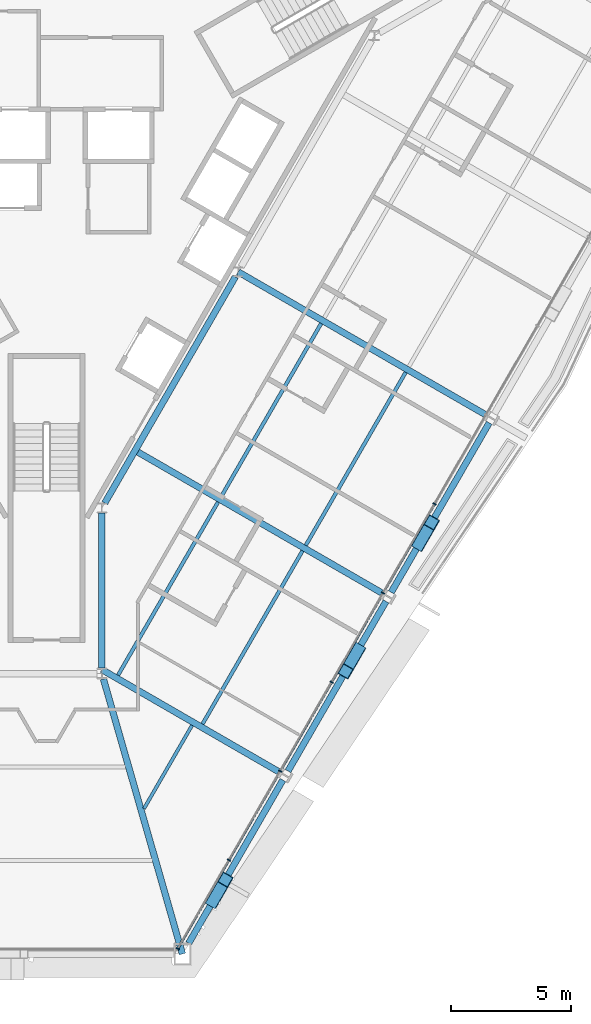
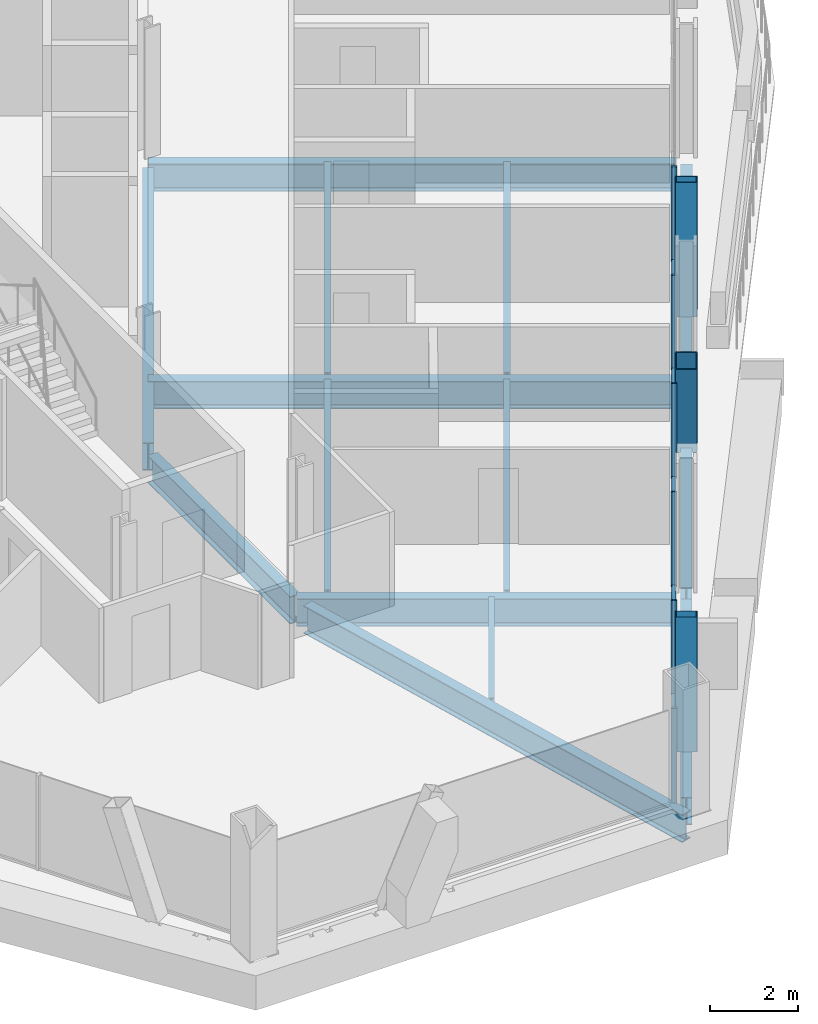
# One storey, part 5 of 20: 14 beams, 14 members, 1 element without a shape of its own.
"""IFC4 building model written with IfcOpenShell, lengths in metres."""

import ifcopenshell
import ifcopenshell.guid

model = None  # the IFC model being written
_history = None  # IfcOwnerHistory: only IFC2X3 demands one
_inside = {}  # id of a spatial element -> (the spatial element, [elements in it])
_under = {}  # id of a project, library or spatial element -> (it, [spatial elements below it])
_declared = {}  # id of a project -> (the project, [libraries it declares])
_typed = {}  # id of a type object -> (the type object, [elements of that type])
_made_of = {}  # id of a material, layer set ... -> (it, [elements and type objects made of it])


def new_model(schema):
    """Start an empty IFC model of exactly this schema.

    Asked for "IFC4X3", IfcOpenShell would pick the latest addendum, in which some entities
    have other attributes; the version numbers below select the first issue.
    IFC2X3 requires an IfcOwnerHistory on every rooted entity: one is made here for all.
    """
    global model, _history
    if schema == "IFC4X3":
        model = ifcopenshell.file(schema_version=(4, 3, 0, 0))
    else:
        model = ifcopenshell.file(schema=schema)
    _inside.clear()
    _under.clear()
    _declared.clear()
    _typed.clear()
    _made_of.clear()
    _history = None
    if model.schema == "IFC2X3":
        org = make("IfcOrganization", Name="unknown")
        user = make(
            "IfcPersonAndOrganization",
            ThePerson=make("IfcPerson", FamilyName="unknown"),
            TheOrganization=org,
        )
        app = make(
            "IfcApplication",
            ApplicationDeveloper=org,
            Version="unknown",
            ApplicationFullName="unknown",
            ApplicationIdentifier="unknown",
        )
        _history = make(
            "IfcOwnerHistory",
            OwningUser=user,
            OwningApplication=app,
            ChangeAction="ADDED",
            CreationDate=0,
        )
    return model


def make(cls, **values):
    """One entity of the class cls with the attributes given. An attribute that is None is left unset."""
    return model.create_entity(
        cls, **{name: value for name, value in values.items() if value is not None}
    )


def rooted(cls, **values):
    """An entity with a GlobalId (a new one), such as an element, a storey or a relation."""
    return make(cls, GlobalId=ifcopenshell.guid.new(), OwnerHistory=_history, **values)


def si_unit(unit_type, name, prefix=None):
    """IfcSIUnit, for example si_unit("LENGTHUNIT", "METRE", prefix="MILLI")."""
    return make("IfcSIUnit", UnitType=unit_type, Prefix=prefix, Name=name)


def assignment(units):
    """IfcUnitAssignment: the units of a project."""
    return None if units is None else make("IfcUnitAssignment", Units=units)


def point(xyz):
    """IfcCartesianPoint."""
    return None if xyz is None else make("IfcCartesianPoint", Coordinates=xyz)


def direction(xyz):
    """IfcDirection."""
    return None if xyz is None else make("IfcDirection", DirectionRatios=xyz)


def frame(location, z_axis=None, x_axis=None):
    """IfcAxis2Placement3D, a coordinate frame: its origin and axes. An axis left out is left unset."""
    return make(
        "IfcAxis2Placement3D",
        Location=point(location),
        Axis=direction(z_axis),
        RefDirection=direction(x_axis),
    )


def frame_2d(location, x_axis=None):
    """IfcAxis2Placement2D, a coordinate frame in the plane: its origin and x axis."""
    return make(
        "IfcAxis2Placement2D", Location=point(location), RefDirection=direction(x_axis)
    )


def origin():
    """The frame at (0, 0, 0) with its axes left unset."""
    return frame((0.0, 0.0, 0.0))


def origin_2d():
    """The frame at (0, 0) in the plane with its x axis left unset."""
    return frame_2d((0.0, 0.0))


def place(relative_to, where):
    """IfcLocalPlacement: puts the frame where relative to a parent placement (None: the world)."""
    return make(
        "IfcLocalPlacement", PlacementRelTo=relative_to, RelativePlacement=where
    )


def context(
    kind, dimensions, precision=None, world=None, true_north=None, identifier=None
):
    """IfcGeometricRepresentationContext, for example the 3D "Model" context."""
    return make(
        "IfcGeometricRepresentationContext",
        ContextIdentifier=identifier,
        ContextType=kind,
        CoordinateSpaceDimension=dimensions,
        Precision=precision,
        WorldCoordinateSystem=world,
        TrueNorth=true_north,
    )


def subcontext(parent, identifier, kind, view, scale=None):
    """IfcGeometricRepresentationSubContext, for example "Body" below "Model"."""
    return make(
        "IfcGeometricRepresentationSubContext",
        ContextIdentifier=identifier,
        ContextType=kind,
        ParentContext=parent,
        TargetScale=scale,
        TargetView=view,
    )


def project(units=None, contexts=None):
    """IfcProject with its units and contexts."""
    return rooted(
        "IfcProject",
        Name="project",
        RepresentationContexts=contexts,
        UnitsInContext=assignment(units),
    )


def spatial(cls, under=None, at=None, **own):
    """A site, building, storey or space (cls), placed at a placement, below another one or the project."""
    s = rooted(cls, ObjectPlacement=at, **own)
    if under is not None:
        _under.setdefault(under.id(), (under, []))[1].append(s)
    return s


def profile(cls, at=None, kind="AREA", **sizes):
    """A parametric profile (cls). Its sizes go by their IFC names, for example OverallWidth=200.0."""
    return make(cls, ProfileType=kind, Position=at, **sizes)


def rectangle(**sizes):
    """IfcRectangleProfileDef."""
    return profile("IfcRectangleProfileDef", **sizes)


def hollow_rectangle(**sizes):
    """IfcRectangleHollowProfileDef."""
    return profile("IfcRectangleHollowProfileDef", **sizes)


def i_section(**sizes):
    """IfcIShapeProfileDef."""
    return profile("IfcIShapeProfileDef", **sizes)


def extrude(swept, where, along, depth):
    """IfcExtrudedAreaSolid: the profile swept, set in the frame where, extruded along a direction by depth."""
    return make(
        "IfcExtrudedAreaSolid",
        SweptArea=swept,
        Position=where,
        ExtrudedDirection=direction(along),
        Depth=depth,
    )


def shape(context_of_items, identifier, shape_type, items):
    """IfcShapeRepresentation: the items that make up one representation, for example the "Body"."""
    return make(
        "IfcShapeRepresentation",
        ContextOfItems=context_of_items,
        RepresentationIdentifier=identifier,
        RepresentationType=shape_type,
        Items=items,
    )


def material(Name=None, Category=None):
    """IfcMaterial."""
    return make("IfcMaterial", Name=Name, Category=Category)


def material_profile(
    of_material, cross_section, Name=None, Category=None, Priority=None
):
    """IfcMaterialProfile: a cross section and its material."""
    return make(
        "IfcMaterialProfile",
        Name=Name,
        Material=of_material,
        Profile=cross_section,
        Priority=Priority,
        Category=Category,
    )


def profile_set(profiles, Name=None, composite=None):
    """IfcMaterialProfileSet."""
    return make(
        "IfcMaterialProfileSet",
        Name=Name,
        MaterialProfiles=profiles,
        CompositeProfile=composite,
    )


def made_of(thing, what):
    """Note that an element or type object is made of a material, layer set ...; save() writes the relation."""
    if what is not None:
        _made_of.setdefault(what.id(), (what, []))[1].append(thing)
    return thing


def type_object(cls, material=None, **own):
    """A type object (cls), such as IfcWallType, which elements share."""
    return made_of(rooted(cls, **own), material)


def element(
    cls,
    number,
    at=None,
    inside=None,
    cuts=None,
    type_object=None,
    material=None,
    context=None,
    identifier="Body",
    shape_type=None,
    held_by="IfcProductDefinitionShape",
    body=None,
    shapes=None,
    **own,
):
    """One element of the class cls, such as IfcWall. Its Tag is "e" and its number.

    at: its placement. inside: the storey or other place that contains it. cuts: it is an
    opening in that element (IfcRelVoidsElement). A single representation is given by context,
    identifier, shape_type and body (its items); several are given by shapes. held_by: the class
    of the entity that holds the representations. save() writes the other relations.
    """
    e = rooted(cls, Tag="e%d" % number, ObjectPlacement=at, **own)
    if body is not None:
        shapes = [shape(context, identifier, shape_type, body)]
    if shapes is not None:
        e.Representation = make(held_by, Representations=shapes)
    if inside is not None:
        _inside.setdefault(inside.id(), (inside, []))[1].append(e)
    if cuts is not None:
        rooted(
            "IfcRelVoidsElement", RelatingBuildingElement=cuts, RelatedOpeningElement=e
        )
    if type_object is not None:
        _typed.setdefault(type_object.id(), (type_object, []))[1].append(e)
    return made_of(e, material)


def aggregate(whole, parts):
    """IfcRelAggregates: a whole, such as a stair, and the parts it consists of."""
    return rooted("IfcRelAggregates", RelatingObject=whole, RelatedObjects=parts)


def save(model, path):
    """Write the relations noted so far, then the file.

    IfcRelAggregates (storeys below a building ...), IfcRelContainedInSpatialStructure (elements
    in a storey), IfcRelDefinesByType, IfcRelAssociatesMaterial and IfcRelDeclares: one each for
    every whole, place, type object, material and project.
    """
    for whole, parts in _under.values():
        aggregate(whole, parts)
    for where, things in _inside.values():
        rooted(
            "IfcRelContainedInSpatialStructure",
            RelatedElements=things,
            RelatingStructure=where,
        )
    for kind, things in _typed.values():
        rooted("IfcRelDefinesByType", RelatedObjects=things, RelatingType=kind)
    for what, things in _made_of.values():
        rooted("IfcRelAssociatesMaterial", RelatedObjects=things, RelatingMaterial=what)
    for by, libraries in _declared.values():
        rooted("IfcRelDeclares", RelatingContext=by, RelatedDefinitions=libraries)
    model.write(path)


model = new_model("IFC4")

# Units and contexts
model_context = context("Model", 3, precision=1e-05, world=origin(), true_north=direction((0.0, 1.0)))
body_context = subcontext(model_context, "Body", "Model", "MODEL_VIEW")
ifc_project = project(units=[si_unit("LENGTHUNIT", "METRE"), si_unit("AREAUNIT", "SQUARE_METRE"), si_unit("VOLUMEUNIT", "CUBIC_METRE"), si_unit("PLANEANGLEUNIT", "RADIAN"), si_unit("MASSUNIT", "GRAM", prefix="KILO")], contexts=[model_context])

# Site, building, storey
site_placement = place(None, origin())
site = spatial("IfcSite", under=ifc_project, at=site_placement, CompositionType="ELEMENT")
building_placement = place(site_placement, origin())
building = spatial("IfcBuilding", under=site, at=building_placement, Name="Verrane Prism Tower", CompositionType="ELEMENT")
storey_placement = place(building_placement, frame((0.0, 0.0, 69.199951171875)))
storey = spatial("IfcBuildingStorey", under=building, at=storey_placement, Name="L15", CompositionType="ELEMENT", Elevation=69.199951171875)

# Beams
ifc_material_1 = material(Name="Steel A992", Category="steel")
ifc_material_profile_1 = material_profile(ifc_material_1, i_section(OverallWidth=0.2666015625, OverallDepth=0.7568359375, WebThickness=0.013916015625, FlangeThickness=0.019287109375, FilletRadius=0.0166015625, at=origin_2d()), Name="W30x108")
ifc_profile_set_1 = profile_set([ifc_material_profile_1], Name="Steel A992")
beam_type_1 = type_object("IfcBeamType", Name="Core ring girder W30x108", PredefinedType="BEAM", material=ifc_profile_set_1)
beam_1_placement = place(storey_placement, frame((2.300048828125, -21.07275390625, -0.62841796875), z_axis=(0.0, 1.0, 0.0), x_axis=(-1.0, 0.0, 0.0)))
element("IfcBeam", 1, at=beam_1_placement, inside=storey, type_object=beam_type_1, Name="Core ring girder L15", PredefinedType="BEAM", context=body_context, shape_type="SweptSolid", body=[
    extrude(i_section(OverallWidth=0.2666015625, OverallDepth=0.7568359375, WebThickness=0.013916015625, FlangeThickness=0.019287109375, FilletRadius=0.0166015625, at=origin_2d()), origin(), (0.0, 0.0, 1.0), 6.4443359375),
])
beam_2_placement = place(storey_placement, frame((2.42041015625, -14.211669921875, -0.62841796875), z_axis=(0.500013103396, 0.866017838403, 0.0), x_axis=(-0.866017838403, 0.500013103396, 0.0)))
element("IfcBeam", 2, at=beam_2_placement, inside=storey, type_object=beam_type_1, Name="Core ring girder L15", PredefinedType="BEAM", context=body_context, shape_type="SweptSolid", body=[
    extrude(i_section(OverallWidth=0.2666015625, OverallDepth=0.7568359375, WebThickness=0.013916015625, FlangeThickness=0.019287109375, FilletRadius=0.0166015625, at=origin_2d()), origin(), (0.0, 0.0, 1.0), 10.858154296875),
])
ifc_material_2 = material(Name="Steel A992", Category="steel")
ifc_material_profile_2 = material_profile(ifc_material_2, i_section(OverallWidth=0.2666015625, OverallDepth=0.76708984375, WebThickness=0.014892578125, FlangeThickness=0.023681640625, FilletRadius=0.0166015625, at=origin_2d()), Name="W30x124")
ifc_profile_set_2 = profile_set([ifc_material_profile_2], Name="Steel A992")
beam_type_2 = type_object("IfcBeamType", Name="Corner girder W30x124", PredefinedType="BEAM", material=ifc_profile_set_2)
beam_3_placement = place(storey_placement, frame((5.64892578125, -32.956298828125, -0.603515625), z_axis=(-0.276141726937, 0.961116926625, 0.0), x_axis=(-0.961116926625, -0.276141726937, 0.0)))
element("IfcBeam", 3, at=beam_3_placement, inside=storey, type_object=beam_type_2, Name="Corner girder L15", PredefinedType="BEAM", context=body_context, shape_type="SweptSolid", body=[
    extrude(i_section(OverallWidth=0.2666015625, OverallDepth=0.76708984375, WebThickness=0.014892578125, FlangeThickness=0.023681640625, FilletRadius=0.0166015625, at=origin_2d()), origin(), (0.0, 0.0, 1.0), 11.891357421875),
])

# Members
ifc_material_3 = material(Name="Steel A1085 Grade A", Category="steel")
ifc_material_profile_3 = material_profile(ifc_material_3, hollow_rectangle(XDim=0.508056640625, YDim=0.508056640625, WallThickness=0.025390625, InnerFilletRadius=0.0126953125, OuterFilletRadius=0.0380859375, at=origin_2d()), Name="HSS20x20x1")
ifc_profile_set_3 = profile_set([ifc_material_profile_3], Name="Steel A1085 Grade A")
member_type_1 = type_object("IfcMemberType", Name="Facade brace HSS20x20x1", PredefinedType="BRACE", material=ifc_profile_set_3)
member_1_placement = place(storey_placement, frame((6.923095703125, -30.7529296875, -0.242431640625), z_axis=(0.160833507391, 0.278788325281, 0.946789127835), x_axis=(-0.866193535518, 0.499708674156, 0.0)))
element("IfcMember", 4, at=member_1_placement, inside=storey, type_object=member_type_1, Name="Facade brace SE0 L15", PredefinedType="BRACE", context=body_context, shape_type="SweptSolid", body=[
    extrude(hollow_rectangle(XDim=0.508056640625, YDim=0.508056640625, WallThickness=0.025390625, InnerFilletRadius=0.0126953125, OuterFilletRadius=0.0380859375, at=origin_2d()), origin(), (0.0, 0.0, 1.0), 3.177001953125),
])
member_2_placement = place(storey_placement, frame((12.94384765625, -20.320068359375, -0.242431640625), z_axis=(-0.161115641095, -0.279128814544, 0.946640826864), x_axis=(0.866078408764, -0.499908181442, 0.0)))
element("IfcMember", 5, at=member_2_placement, inside=storey, type_object=member_type_1, Name="Facade brace SE1 L15", PredefinedType="BRACE", context=body_context, shape_type="SweptSolid", body=[
    extrude(hollow_rectangle(XDim=0.508056640625, YDim=0.508056640625, WallThickness=0.025390625, InnerFilletRadius=0.0126953125, OuterFilletRadius=0.0380859375, at=origin_2d()), origin(), (0.0, 0.0, 1.0), 3.177490234375),
])
member_3_placement = place(storey_placement, frame((15.49609375, -15.90283203125, -0.242431640625), z_axis=(0.161207751603, 0.278771078559, 0.946730556485), x_axis=(-0.865676668203, 0.500603541866, 0.0)))
element("IfcMember", 6, at=member_3_placement, inside=storey, type_object=member_type_1, Name="Facade brace SE2 L15", PredefinedType="BRACE", context=body_context, shape_type="SweptSolid", body=[
    extrude(hollow_rectangle(XDim=0.508056640625, YDim=0.508056640625, WallThickness=0.025390625, InnerFilletRadius=0.0126953125, OuterFilletRadius=0.0380859375, at=origin_2d()), origin(), (0.0, 0.0, 1.0), 3.17724609375),
])

# Beams
ifc_material_4 = material(Name="Steel A992", Category="steel")
ifc_material_profile_4 = material_profile(ifc_material_4, i_section(OverallWidth=0.140380859375, OverallDepth=0.40380859375, WebThickness=0.007080078125, FlangeThickness=0.01123046875, FilletRadius=0.01025390625, at=origin_2d()), Name="W16x31")
ifc_profile_set_4 = profile_set([ifc_material_profile_4], Name="Steel A992")
beam_type_3 = type_object("IfcBeamType", Name="Floor beam W16x31", PredefinedType="BEAM", material=ifc_profile_set_4)
beam_4_placement = place(storey_placement, frame((4.051513671875, -26.91259765625, -0.36181640625), z_axis=(0.499995658264, 0.866027910472, 0.0), x_axis=(-0.866027910472, 0.499995658264, 0.0)))
element("IfcBeam", 7, at=beam_4_placement, inside=storey, type_object=beam_type_3, Name="Floor beam L15", PredefinedType="BEAM", context=body_context, shape_type="SweptSolid", body=[
    extrude(i_section(OverallWidth=0.140380859375, OverallDepth=0.40380859375, WebThickness=0.007080078125, FlangeThickness=0.01123046875, FilletRadius=0.01025390625, at=origin_2d()), origin(), (0.0, 0.0, 1.0), 3.99658203125),
])
ifc_material_5 = material(Name="Steel A992", Category="steel")
ifc_material_profile_5 = material_profile(ifc_material_5, i_section(OverallWidth=0.15234375, OverallDepth=0.449462890625, WebThickness=0.007568359375, FlangeThickness=0.0107421875, FilletRadius=0.01025390625, at=origin_2d()), Name="W18x35")
ifc_profile_set_5 = profile_set([ifc_material_profile_5], Name="Steel A992")
beam_type_4 = type_object("IfcBeamType", Name="Floor beam W18x35", PredefinedType="BEAM", material=ifc_profile_set_5)
beam_5_placement = place(storey_placement, frame((6.4853515625, -23.394775390625, -0.384765625), z_axis=(0.50000392623, 0.866023136963, 0.0), x_axis=(-0.866023136963, 0.50000392623, 0.0)))
element("IfcBeam", 8, at=beam_5_placement, inside=storey, type_object=beam_type_4, Name="Floor beam L15", PredefinedType="BEAM", context=body_context, shape_type="SweptSolid", body=[
    extrude(i_section(OverallWidth=0.15234375, OverallDepth=0.449462890625, WebThickness=0.007568359375, FlangeThickness=0.0107421875, FilletRadius=0.01025390625, at=origin_2d()), origin(), (0.0, 0.0, 1.0), 8.30908203125),
])
beam_6_placement = place(storey_placement, frame((2.9736328125, -21.365234375, -0.384765625), z_axis=(0.499989616998, 0.866031398331, 0.0), x_axis=(-0.866031398331, 0.499989616998, 0.0)))
element("IfcBeam", 9, at=beam_6_placement, inside=storey, type_object=beam_type_4, Name="Floor beam L15", PredefinedType="BEAM", context=body_context, shape_type="SweptSolid", body=[
    extrude(i_section(OverallWidth=0.15234375, OverallDepth=0.449462890625, WebThickness=0.007568359375, FlangeThickness=0.0107421875, FilletRadius=0.01025390625, at=origin_2d()), origin(), (0.0, 0.0, 1.0), 8.305908203125),
])
beam_7_placement = place(storey_placement, frame((10.7763671875, -15.969482421875, -0.384765625), z_axis=(0.499995524547, 0.866027987673, 0.0), x_axis=(-0.866027987673, 0.499995524547, 0.0)))
element("IfcBeam", 10, at=beam_7_placement, inside=storey, type_object=beam_type_4, Name="Floor beam L15", PredefinedType="BEAM", context=body_context, shape_type="SweptSolid", body=[
    extrude(i_section(OverallWidth=0.15234375, OverallDepth=0.449462890625, WebThickness=0.007568359375, FlangeThickness=0.0107421875, FilletRadius=0.01025390625, at=origin_2d()), origin(), (0.0, 0.0, 1.0), 8.306640625),
])
beam_8_placement = place(storey_placement, frame((7.26171875, -13.94189453125, -0.384765625), z_axis=(0.500000517071, 0.866025105253, 0.0), x_axis=(-0.866025105253, 0.500000517071, 0.0)))
element("IfcBeam", 11, at=beam_8_placement, inside=storey, type_object=beam_type_4, Name="Floor beam L15", PredefinedType="BEAM", context=body_context, shape_type="SweptSolid", body=[
    extrude(i_section(OverallWidth=0.15234375, OverallDepth=0.449462890625, WebThickness=0.007568359375, FlangeThickness=0.0107421875, FilletRadius=0.01025390625, at=origin_2d()), origin(), (0.0, 0.0, 1.0), 8.3095703125),
])

# Curtain wall, members
ifc_material_6 = material(Name="Aluminium framed insulated glazing", Category="aluminium")
curtain_wall_type = type_object("IfcCurtainWallType", Name="Curtain wall CW-C 4200 module", PredefinedType="NOTDEFINED", material=ifc_material_6)
curtain_wall_placement = place(storey_placement, origin())
curtain_wall = element("IfcCurtainWall", 12, at=curtain_wall_placement, inside=storey, type_object=curtain_wall_type, Name="Glazed curtain wall south-east face L15", PredefinedType="NOTDEFINED")
ifc_material_7 = material(Name="Aluminium alloy 6063-T6", Category="aluminium")
ifc_material_profile_6 = material_profile(ifc_material_7, rectangle(XDim=0.139892578125, YDim=0.050048828125, at=origin_2d()), Name="Mullion 50x140 aluminium")
ifc_profile_set_6 = profile_set([ifc_material_profile_6], Name="Aluminium alloy 6063-T6")
member_type_2 = type_object("IfcMemberType", Name="Mullion 50x140 aluminium", PredefinedType="MULLION", material=ifc_profile_set_6)
member_4_placement = place(storey_placement, frame((5.453369140625, -32.736328125, 0.0), z_axis=(0.0, 0.0, 1.0), x_axis=(-0.866025283147, 0.50000020895, 0.0)))
member_4 = element("IfcMember", 13, at=member_4_placement, type_object=member_type_2, Name="CW14.6 mullion 1", PredefinedType="MULLION", context=body_context, shape_type="SweptSolid", body=[
    extrude(rectangle(XDim=0.139892578125, YDim=0.050048828125, at=origin_2d()), origin(), (0.0, 0.0, 1.0), 2.613037109375),
])
member_5_placement = place(storey_placement, frame((7.578369140625, -29.055908203125, 0.0), z_axis=(0.0, 0.0, 1.0), x_axis=(-0.866025283147, 0.50000020895, 0.0)))
member_5 = element("IfcMember", 14, at=member_5_placement, type_object=member_type_2, Name="CW14.6 mullion 2", PredefinedType="MULLION", context=body_context, shape_type="SweptSolid", body=[
    extrude(rectangle(XDim=0.139892578125, YDim=0.050048828125, at=origin_2d()), origin(), (0.0, 0.0, 1.0), 2.613037109375),
])
member_6_placement = place(storey_placement, frame((9.7158203125, -25.353759765625, 0.0), z_axis=(0.0, 0.0, 1.0), x_axis=(-0.866025283147, 0.50000020895, 0.0)))
member_6 = element("IfcMember", 15, at=member_6_placement, type_object=member_type_2, Name="CW14.6 mullion 3", PredefinedType="MULLION", context=body_context, shape_type="SweptSolid", body=[
    extrude(rectangle(XDim=0.139892578125, YDim=0.050048828125, at=origin_2d()), origin(), (0.0, 0.0, 1.0), 2.613037109375),
])
member_7_placement = place(storey_placement, frame((11.85302734375, -21.65185546875, 0.0), z_axis=(0.0, 0.0, 1.0), x_axis=(-0.866025283147, 0.50000020895, 0.0)))
member_7 = element("IfcMember", 16, at=member_7_placement, type_object=member_type_2, Name="CW14.6 mullion 4", PredefinedType="MULLION", context=body_context, shape_type="SweptSolid", body=[
    extrude(rectangle(XDim=0.139892578125, YDim=0.050048828125, at=origin_2d()), origin(), (0.0, 0.0, 1.0), 2.613037109375),
])
member_8_placement = place(storey_placement, frame((13.990478515625, -17.94970703125, 0.0), z_axis=(0.0, 0.0, 1.0), x_axis=(-0.866025283147, 0.50000020895, 0.0)))
member_8 = element("IfcMember", 17, at=member_8_placement, type_object=member_type_2, Name="CW14.6 mullion 5", PredefinedType="MULLION", context=body_context, shape_type="SweptSolid", body=[
    extrude(rectangle(XDim=0.139892578125, YDim=0.050048828125, at=origin_2d()), origin(), (0.0, 0.0, 1.0), 2.613037109375),
])
member_9_placement = place(storey_placement, frame((16.1279296875, -14.24755859375, 0.0), z_axis=(0.0, 0.0, 1.0), x_axis=(-0.866025283147, 0.50000020895, 0.0)))
member_9 = element("IfcMember", 18, at=member_9_placement, type_object=member_type_2, Name="CW14.6 mullion 6", PredefinedType="MULLION", context=body_context, shape_type="SweptSolid", body=[
    extrude(rectangle(XDim=0.139892578125, YDim=0.050048828125, at=origin_2d()), origin(), (0.0, 0.0, 1.0), 2.613037109375),
])

# Beams
ifc_material_8 = material(Name="Steel A992", Category="steel")
ifc_material_profile_7 = material_profile(ifc_material_8, i_section(OverallWidth=0.2666015625, OverallDepth=0.76708984375, WebThickness=0.014892578125, FlangeThickness=0.023681640625, FilletRadius=0.0166015625, at=origin_2d()), Name="W30x124")
ifc_profile_set_7 = profile_set([ifc_material_profile_7], Name="Steel A992")
beam_type_5 = type_object("IfcBeamType", Name="Radial girder W30x124", PredefinedType="BEAM", material=ifc_profile_set_7)
beam_9_placement = place(storey_placement, frame((9.71435546875, -25.41552734375, -0.603515625), z_axis=(-0.866019851127, 0.500009617362, 0.0), x_axis=(-0.500009617362, -0.866019851127, 0.0)))
element("IfcBeam", 19, at=beam_9_placement, inside=storey, type_object=beam_type_5, Name="Radial girder L15", PredefinedType="BEAM", context=body_context, shape_type="SweptSolid", body=[
    extrude(i_section(OverallWidth=0.2666015625, OverallDepth=0.76708984375, WebThickness=0.014892578125, FlangeThickness=0.023681640625, FilletRadius=0.0166015625, at=origin_2d()), origin(), (0.0, 0.0, 1.0), 8.561279296875),
])
beam_10_placement = place(storey_placement, frame((14.00439453125, -17.985595703125, -0.603515625), z_axis=(-0.866014689455, 0.500018557304, 0.0), x_axis=(-0.500018557304, -0.866014689455, 0.0)))
element("IfcBeam", 20, at=beam_10_placement, inside=storey, type_object=beam_type_5, Name="Radial girder L15", PredefinedType="BEAM", context=body_context, shape_type="SweptSolid", body=[
    extrude(i_section(OverallWidth=0.2666015625, OverallDepth=0.76708984375, WebThickness=0.014892578125, FlangeThickness=0.023681640625, FilletRadius=0.0166015625, at=origin_2d()), origin(), (0.0, 0.0, 1.0), 11.9189453125),
])
beam_11_placement = place(storey_placement, frame((18.29443359375, -10.5654296875, -0.603515625), z_axis=(-0.866027038082, 0.499997169302, 0.0), x_axis=(-0.499997169302, -0.866027038082, 0.0)))
element("IfcBeam", 21, at=beam_11_placement, inside=storey, type_object=beam_type_5, Name="Radial girder L15", PredefinedType="BEAM", context=body_context, shape_type="SweptSolid", body=[
    extrude(i_section(OverallWidth=0.2666015625, OverallDepth=0.76708984375, WebThickness=0.014892578125, FlangeThickness=0.023681640625, FilletRadius=0.0166015625, at=origin_2d()), origin(), (0.0, 0.0, 1.0), 11.923828125),
])
ifc_material_9 = material(Name="Steel A992", Category="steel")
ifc_material_profile_8 = material_profile(ifc_material_9, i_section(OverallWidth=0.2666015625, OverallDepth=0.7568359375, WebThickness=0.013916015625, FlangeThickness=0.019287109375, FilletRadius=0.0166015625, at=origin_2d()), Name="W30x108")
ifc_profile_set_8 = profile_set([ifc_material_profile_8], Name="Steel A992")
beam_type_6 = type_object("IfcBeamType", Name="Spandrel beam W30x108", PredefinedType="SPANDREL", material=ifc_profile_set_8)
beam_12_placement = place(storey_placement, frame((5.90966796875, -32.510009765625, -0.538330078125), z_axis=(0.499636978106, 0.866234893149, 0.0), x_axis=(-0.866234893149, 0.499636978106, 0.0)))
element("IfcBeam", 22, at=beam_12_placement, inside=storey, type_object=beam_type_6, Name="Spandrel beam L15", PredefinedType="SPANDREL", context=body_context, shape_type="SweptSolid", body=[
    extrude(i_section(OverallWidth=0.2666015625, OverallDepth=0.7568359375, WebThickness=0.013916015625, FlangeThickness=0.019287109375, FilletRadius=0.0166015625, at=origin_2d()), origin(), (0.0, 0.0, 1.0), 7.830322265625),
])
beam_13_placement = place(storey_placement, frame((10.0380859375, -25.35302734375, -0.538330078125), z_axis=(0.500022470507, 0.866012430043, 0.0), x_axis=(-0.866012430043, 0.500022470507, 0.0)))
element("IfcBeam", 23, at=beam_13_placement, inside=storey, type_object=beam_type_6, Name="Spandrel beam L15", PredefinedType="SPANDREL", context=body_context, shape_type="SweptSolid", body=[
    extrude(i_section(OverallWidth=0.2666015625, OverallDepth=0.7568359375, WebThickness=0.013916015625, FlangeThickness=0.019287109375, FilletRadius=0.0166015625, at=origin_2d()), origin(), (0.0, 0.0, 1.0), 8.147705078125),
])
beam_14_placement = place(storey_placement, frame((14.328125, -17.923095703125, -0.538330078125), z_axis=(0.500519459501, 0.865725285908, 0.0), x_axis=(-0.865725285908, 0.500519459501, 0.0)))
element("IfcBeam", 24, at=beam_14_placement, inside=storey, type_object=beam_type_6, Name="Spandrel beam L15", PredefinedType="SPANDREL", context=body_context, shape_type="SweptSolid", body=[
    extrude(i_section(OverallWidth=0.2666015625, OverallDepth=0.7568359375, WebThickness=0.013916015625, FlangeThickness=0.019287109375, FilletRadius=0.0166015625, at=origin_2d()), origin(), (0.0, 0.0, 1.0), 8.138916015625),
])

# Member
ifc_material_10 = material(Name="Aluminium alloy 6063-T6", Category="aluminium")
ifc_material_profile_9 = material_profile(ifc_material_10, rectangle(XDim=0.10009765625, YDim=0.050048828125, at=origin_2d()), Name="Transom 50x100 aluminium")
ifc_profile_set_9 = profile_set([ifc_material_profile_9], Name="Aluminium alloy 6063-T6")
member_type_3 = type_object("IfcMemberType", Name="Transom 50x100 aluminium", PredefinedType="USERDEFINED", material=ifc_profile_set_9)
member_10_placement = place(storey_placement, frame((5.4658203125, -32.714599609375, 0.025146484375), z_axis=(0.500052886544, 0.865994867571, 0.0), x_axis=(-0.865994867571, 0.500052886544, 0.0)))
member_10 = element("IfcMember", 25, at=member_10_placement, type_object=member_type_3, Name="CW14.6 transom 1", ObjectType="TRANSOM", PredefinedType="USERDEFINED", context=body_context, shape_type="SweptSolid", body=[
    extrude(rectangle(XDim=0.10009765625, YDim=0.050048828125, at=origin_2d()), origin(), (0.0, 0.0, 1.0), 4.19970703125),
])

member_11_placement = place(storey_placement, frame((7.5908203125, -29.0341796875, 0.025146484375), z_axis=(0.499992582699, 0.866029686123, 0.0), x_axis=(-0.866029686123, 0.499992582699, 0.0)))
member_11 = element("IfcMember", 26, at=member_11_placement, type_object=member_type_3, Name="CW14.6 transom 2", ObjectType="TRANSOM", PredefinedType="USERDEFINED", context=body_context, shape_type="SweptSolid", body=[
    extrude(rectangle(XDim=0.10009765625, YDim=0.050048828125, at=origin_2d()), origin(), (0.0, 0.0, 1.0), 4.224609375),
])

member_12_placement = place(storey_placement, frame((9.728271484375, -25.332275390625, 0.025146484375), z_axis=(0.499967560512, 0.866044131922, 0.0), x_axis=(-0.866044131922, 0.499967560512, 0.0)))
member_12 = element("IfcMember", 27, at=member_12_placement, type_object=member_type_3, Name="CW14.6 transom 3", ObjectType="TRANSOM", PredefinedType="USERDEFINED", context=body_context, shape_type="SweptSolid", body=[
    extrude(rectangle(XDim=0.10009765625, YDim=0.050048828125, at=origin_2d()), origin(), (0.0, 0.0, 1.0), 4.224853515625),
])

member_13_placement = place(storey_placement, frame((11.865478515625, -21.630126953125, 0.025146484375), z_axis=(0.500035923186, 0.86600466253, 0.0), x_axis=(-0.86600466253, 0.500035923186, 0.0)))
member_13 = element("IfcMember", 28, at=member_13_placement, type_object=member_type_3, Name="CW14.6 transom 4", ObjectType="TRANSOM", PredefinedType="USERDEFINED", context=body_context, shape_type="SweptSolid", body=[
    extrude(rectangle(XDim=0.10009765625, YDim=0.050048828125, at=origin_2d()), origin(), (0.0, 0.0, 1.0), 4.224853515625),
])

member_14_placement = place(storey_placement, frame((14.0029296875, -17.927978515625, 0.025146484375), z_axis=(0.500035923186, 0.86600466253, 0.0), x_axis=(-0.86600466253, 0.500035923186, 0.0)))
member_14 = element("IfcMember", 29, at=member_14_placement, type_object=member_type_3, Name="CW14.6 transom 5", ObjectType="TRANSOM", PredefinedType="USERDEFINED", context=body_context, shape_type="SweptSolid", body=[
    extrude(rectangle(XDim=0.10009765625, YDim=0.050048828125, at=origin_2d()), origin(), (0.0, 0.0, 1.0), 4.224853515625),
])

aggregate(curtain_wall, [member_4, member_5, member_6, member_7, member_8, member_9, member_10, member_11, member_12, member_13, member_14])

save(model, "model.ifc")
